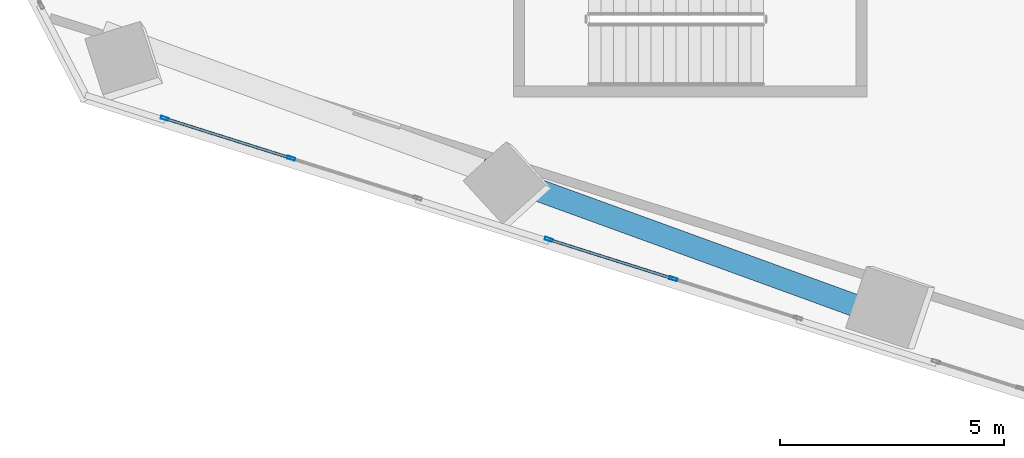
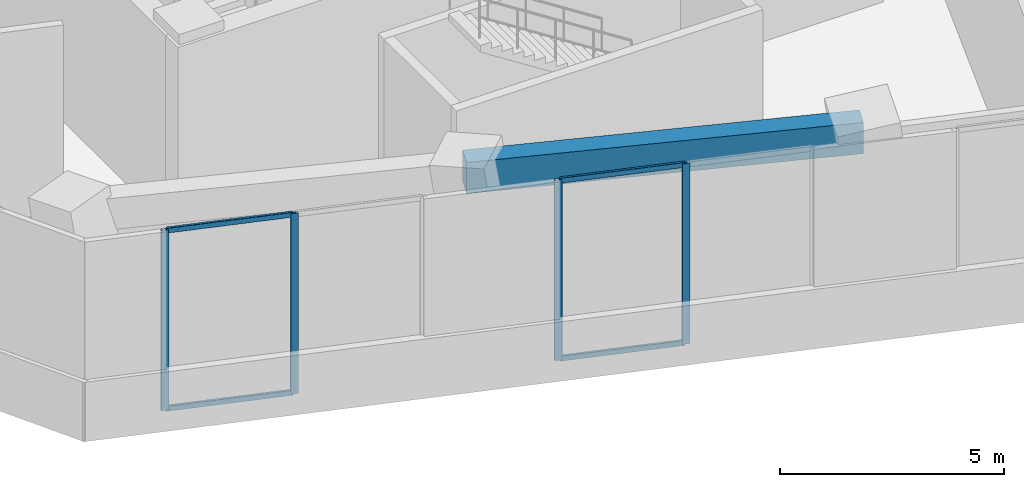
# One storey, part 2 of 29: 8 members, 1 beam, 2 elements without a shape of their own.
"""IFC4 building model written with IfcOpenShell, lengths in metres."""

from ifc_helpers import new_model, si_unit, direction, frame, origin, origin_2d, place, context, subcontext, project, spatial, rectangle, hollow_rectangle, extrude, source, transform, mapped, material, material_profile, profile_set, type_object, element, aggregate, save


model = new_model("IFC4")

# Units and contexts
model_context = context("Model", 3, precision=1e-05, world=origin(), true_north=direction((0.0, 1.0)))
body_context = subcontext(model_context, "Body", "Model", "MODEL_VIEW")
ifc_project = project(units=[si_unit("LENGTHUNIT", "METRE"), si_unit("AREAUNIT", "SQUARE_METRE"), si_unit("VOLUMEUNIT", "CUBIC_METRE"), si_unit("PLANEANGLEUNIT", "RADIAN"), si_unit("MASSUNIT", "GRAM", prefix="KILO")], contexts=[model_context])

# Site, building, storey
site_placement = place(None, origin())
site = spatial("IfcSite", under=ifc_project, at=site_placement, CompositionType="ELEMENT")
building_placement = place(site_placement, origin())
building = spatial("IfcBuilding", under=site, at=building_placement, Name="Torre Montelarca", CompositionType="ELEMENT")
storey_placement = place(building_placement, frame((0.0, 0.0, 122.199951171875)))
storey = spatial("IfcBuildingStorey", under=building, at=storey_placement, Name="L27", CompositionType="ELEMENT", Elevation=122.199951171875)

# Beam
ifc_material_1 = material(Name="Concrete C55/67", Category="concrete")
ifc_material_profile_1 = material_profile(ifc_material_1, rectangle(XDim=0.5, YDim=0.85009765625, at=origin_2d()), Name="RCB500X850", Category="concrete")
ifc_profile_set_1 = profile_set([ifc_material_profile_1], Name="Concrete C55/67")
beam_type = type_object("IfcBeamType", Name="BM-SP-RC850-EXT", PredefinedType="SPANDREL", material=ifc_profile_set_1)
shared_shape_1 = source(origin(), body_context, "Body", "SweptSolid", [
    extrude(rectangle(XDim=0.5, YDim=0.85009765625, at=origin_2d()), origin(), (0.0, 0.0, 1.0), 9.0),
])
beam_placement = place(storey_placement, frame((12.328369140625, 17.034423828125, 4.695068359375), z_axis=(0.939695174234, -0.342013127703, 0.0), x_axis=(0.342013127703, 0.939695174234, 0.0)))
element("IfcBeam", 1, at=beam_placement, inside=storey, type_object=beam_type, Name="L27 Grid Girder X 18.0-27.0 at Y=14.8", PredefinedType="SPANDREL", context=body_context, shape_type="MappedRepresentation", body=[
    mapped(shared_shape_1, transform((0.0, 0.0, 0.0), scale=1.0)),
])

# Curtain wall, members
ifc_material_2 = material(Name="Insulated low-E laminated glass", Category="glass")
curtain_wall_type = type_object("IfcCurtainWallType", Name="CW-SYS-Z1", PredefinedType="USERDEFINED", material=ifc_material_2)
curtain_wall_1_placement = place(storey_placement, origin())
curtain_wall_1 = element("IfcCurtainWall", 2, at=curtain_wall_1_placement, inside=storey, type_object=curtain_wall_type, Name="L27 Curtain Wall Run CW-T3-L27-E01-B1", ObjectType="UNITISED GLAZING", PredefinedType="USERDEFINED")
ifc_material_3 = material(Name="Anodised aluminium AA 6063-T6", Category="aluminium")
ifc_material_profile_2 = material_profile(ifc_material_3, hollow_rectangle(XDim=0.06494140625, YDim=0.179931640625, WallThickness=0.00390625, InnerFilletRadius=0.00390625, OuterFilletRadius=0.008056640625, at=origin_2d()), Name="ALU65X180X4", Category="aluminium")
ifc_profile_set_2 = profile_set([ifc_material_profile_2], Name="Anodised aluminium AA 6063-T6")
member_type_1 = type_object("IfcMemberType", Name="CWM-ALU180", PredefinedType="MULLION", material=ifc_profile_set_2)
shared_shape_2 = source(origin(), body_context, "Body", "SweptSolid", [
    extrude(hollow_rectangle(XDim=0.06494140625, YDim=0.179931640625, WallThickness=0.00390625, InnerFilletRadius=0.00390625, OuterFilletRadius=0.008056640625, at=origin_2d()), origin(), (0.0, 0.0, 1.0), 4.920166015625),
])
member_1_placement = place(storey_placement, frame((5.25341796875, 18.175537109375, 0.0), z_axis=(0.0, 0.0, 1.0), x_axis=(0.300697711961, 0.953719500703, 0.0)))
member_1 = element("IfcMember", 3, at=member_1_placement, type_object=member_type_1, Name="CW mullion 1", PredefinedType="MULLION", context=body_context, shape_type="MappedRepresentation", body=[
    mapped(shared_shape_2, transform((0.0, 0.0, 0.0), scale=1.0)),
])
member_2_placement = place(storey_placement, frame((8.080322265625, 17.284423828125, 0.0), z_axis=(0.0, 0.0, 1.0), x_axis=(0.300697711961, 0.953719500703, 0.0)))
member_2 = element("IfcMember", 4, at=member_2_placement, type_object=member_type_1, Name="CW mullion 2", PredefinedType="MULLION", context=body_context, shape_type="MappedRepresentation", body=[
    mapped(shared_shape_2, transform((0.0, 0.0, 0.0), scale=1.0)),
])

curtain_wall_2_placement = place(storey_placement, origin())
curtain_wall_2 = element("IfcCurtainWall", 5, at=curtain_wall_2_placement, inside=storey, type_object=curtain_wall_type, Name="L27 Curtain Wall Run CW-T3-L27-E01-B2", ObjectType="UNITISED GLAZING", PredefinedType="USERDEFINED")
member_3_placement = place(storey_placement, frame((13.8369140625, 15.46923828125, 0.0), z_axis=(0.0, 0.0, 1.0), x_axis=(0.300702109461, 0.953718114207, 0.0)))
member_3 = element("IfcMember", 6, at=member_3_placement, type_object=member_type_1, Name="CW mullion 1", PredefinedType="MULLION", context=body_context, shape_type="MappedRepresentation", body=[
    mapped(shared_shape_2, transform((0.0, 0.0, 0.0), scale=1.0)),
])
member_4_placement = place(storey_placement, frame((16.6240234375, 14.590576171875, 0.0), z_axis=(0.0, 0.0, 1.0), x_axis=(0.300702109461, 0.953718114207, 0.0)))
member_4 = element("IfcMember", 7, at=member_4_placement, type_object=member_type_1, Name="CW mullion 2", PredefinedType="MULLION", context=body_context, shape_type="MappedRepresentation", body=[
    mapped(shared_shape_2, transform((0.0, 0.0, 0.0), scale=1.0)),
])

# Member
ifc_material_profile_3 = material_profile(ifc_material_3, hollow_rectangle(XDim=0.06494140625, YDim=0.139892578125, WallThickness=0.00390625, InnerFilletRadius=0.00390625, OuterFilletRadius=0.008056640625, at=origin_2d()), Name="ALU65X140X4", Category="aluminium")
ifc_profile_set_3 = profile_set([ifc_material_profile_3], Name="Anodised aluminium AA 6063-T6")
member_type_2 = type_object("IfcMemberType", Name="CWT-ALU140", PredefinedType="USERDEFINED", material=ifc_profile_set_3)
shared_shape_3 = source(origin(), body_context, "Body", "SweptSolid", [
    extrude(hollow_rectangle(XDim=0.06494140625, YDim=0.139892578125, WallThickness=0.00390625, InnerFilletRadius=0.00390625, OuterFilletRadius=0.008056640625, at=origin_2d()), origin(), (0.0, 0.0, 1.0), 2.89892578125),
])
member_5_placement = place(storey_placement, frame((5.284423828125, 18.165771484375, 0.032470703125), z_axis=(0.953735275038, -0.300647676105, 0.0), x_axis=(0.300647676105, 0.953735275038, 0.0)))
member_5 = element("IfcMember", 8, at=member_5_placement, type_object=member_type_2, Name="CW transom 1.1", ObjectType="TRANSOM", PredefinedType="USERDEFINED", context=body_context, shape_type="MappedRepresentation", body=[
    mapped(shared_shape_3, transform((0.0, 0.0, 0.0), scale=1.0)),
])

member_6_placement = place(storey_placement, frame((5.284423828125, 18.165771484375, 4.887451171875), z_axis=(0.953735275038, -0.300647676105, 0.0), x_axis=(0.300647676105, 0.953735275038, 0.0)))
member_6 = element("IfcMember", 9, at=member_6_placement, type_object=member_type_2, Name="CW transom 1.2", ObjectType="TRANSOM", PredefinedType="USERDEFINED", context=body_context, shape_type="MappedRepresentation", body=[
    mapped(shared_shape_3, transform((0.0, 0.0, 0.0), scale=1.0)),
])

aggregate(curtain_wall_1, [member_1, member_2, member_5, member_6])

shared_shape_4 = source(origin(), body_context, "Body", "SweptSolid", [
    extrude(hollow_rectangle(XDim=0.06494140625, YDim=0.139892578125, WallThickness=0.00390625, InnerFilletRadius=0.00390625, OuterFilletRadius=0.008056640625, at=origin_2d()), origin(), (0.0, 0.0, 1.0), 2.857421875),
])
member_7_placement = place(storey_placement, frame((13.867919921875, 15.45947265625, 0.032470703125), z_axis=(0.953725896404, -0.300677426039, 0.0), x_axis=(0.300677426039, 0.953725896404, 0.0)))
member_7 = element("IfcMember", 10, at=member_7_placement, type_object=member_type_2, Name="CW transom 1.1", ObjectType="TRANSOM", PredefinedType="USERDEFINED", context=body_context, shape_type="MappedRepresentation", body=[
    mapped(shared_shape_4, transform((0.0, 0.0, 0.0), scale=1.0)),
])

member_8_placement = place(storey_placement, frame((13.867919921875, 15.45947265625, 4.887451171875), z_axis=(0.953725896404, -0.300677426039, 0.0), x_axis=(0.300677426039, 0.953725896404, 0.0)))
member_8 = element("IfcMember", 11, at=member_8_placement, type_object=member_type_2, Name="CW transom 1.2", ObjectType="TRANSOM", PredefinedType="USERDEFINED", context=body_context, shape_type="MappedRepresentation", body=[
    mapped(shared_shape_4, transform((0.0, 0.0, 0.0), scale=1.0)),
])

aggregate(curtain_wall_2, [member_3, member_4, member_7, member_8])

save(model, "model.ifc")
